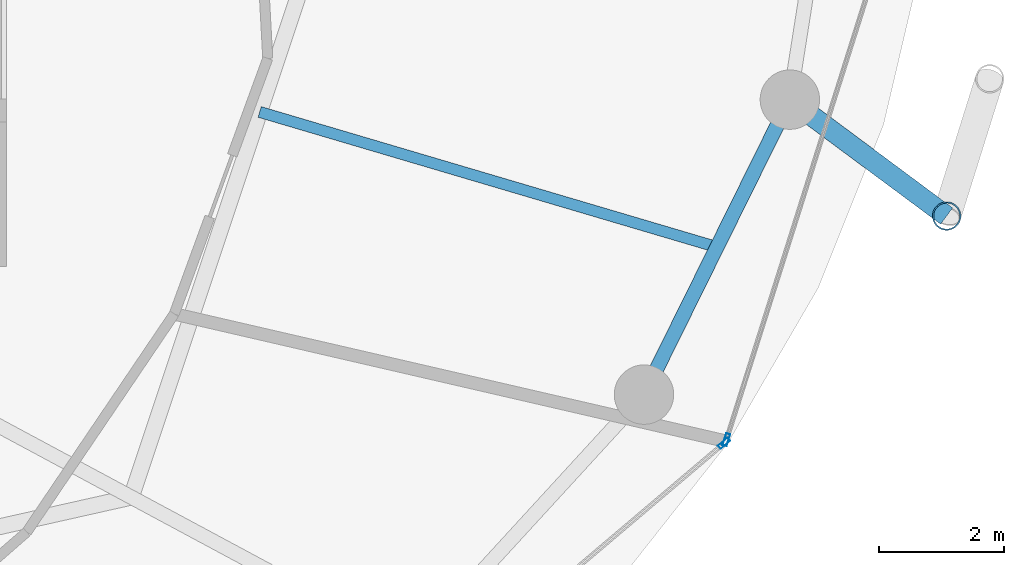
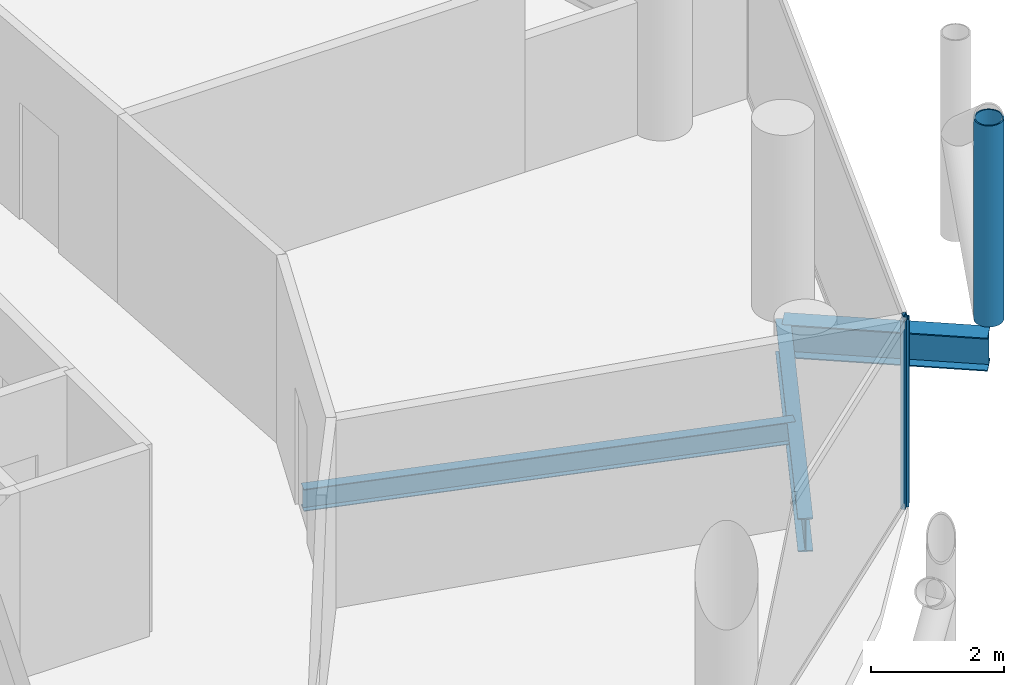
# One storey, part 10 of 27: 3 beams, 3 members, 2 elements without a shape of their own.
"""IFC4 building model written with IfcOpenShell, lengths in metres."""

from ifc_helpers import new_model, si_unit, direction, frame, origin, origin_2d, place, context, subcontext, project, spatial, hollow_rectangle, hollow_circle, i_section, extrude, material, layer, layer_set, material_profile, profile_set, type_object, element, aggregate, save


model = new_model("IFC4")

# Units and contexts
model_context = context("Model", 3, precision=1e-05, world=origin(), true_north=direction((0.0, 1.0)))
body_context = subcontext(model_context, "Body", "Model", "MODEL_VIEW")
ifc_project = project(units=[si_unit("LENGTHUNIT", "METRE"), si_unit("AREAUNIT", "SQUARE_METRE"), si_unit("VOLUMEUNIT", "CUBIC_METRE"), si_unit("PLANEANGLEUNIT", "RADIAN"), si_unit("MASSUNIT", "GRAM", prefix="KILO")], contexts=[model_context])

# Site, building, storey
site_placement = place(None, origin())
site = spatial("IfcSite", under=ifc_project, at=site_placement, CompositionType="ELEMENT")
building_placement = place(site_placement, origin())
building = spatial("IfcBuilding", under=site, at=building_placement, Name="Nuhasar Tower", CompositionType="ELEMENT")
storey_placement = place(building_placement, frame((0.0, 0.0, 158.949951171875)))
storey = spatial("IfcBuildingStorey", under=building, at=storey_placement, Name="L38", CompositionType="ELEMENT", Elevation=158.949951171875)

# Beams
ifc_material_1 = material(Name="Steel S355", Category="steel")
ifc_material_profile_1 = material_profile(ifc_material_1, i_section(OverallWidth=0.177978515625, OverallDepth=0.406005859375, WebThickness=0.0078125, FlangeThickness=0.0126953125, at=origin_2d()), Name="W16X40")
ifc_profile_set_1 = profile_set([ifc_material_profile_1], Name="Steel S355")
beam_type_1 = type_object("IfcBeamType", Name="BM-JST-W16X40", PredefinedType="JOIST", material=ifc_profile_set_1)
beam_1_placement = place(storey_placement, frame((53.0791015625, 21.54296875, -0.452880859375), z_axis=(0.959000494697, -0.283404395116, 0.0), x_axis=(0.283404395116, 0.959000494697, 0.0)))
element("IfcBeam", 1, at=beam_1_placement, inside=storey, type_object=beam_type_1, Name="L38 Secondary Floor Joist 03", PredefinedType="JOIST", context=body_context, shape_type="SweptSolid", body=[
    extrude(i_section(OverallWidth=0.177978515625, OverallDepth=0.406005859375, WebThickness=0.0078125, FlangeThickness=0.0126953125, at=origin_2d()), origin(), (0.0, 0.0, 1.0), 7.621337890625),
])
ifc_material_profile_2 = material_profile(ifc_material_1, i_section(OverallWidth=0.22998046875, OverallDepth=0.616943359375, WebThickness=0.01318359375, FlangeThickness=0.022216796875, at=origin_2d()), Name="W24X94")
ifc_profile_set_2 = profile_set([ifc_material_profile_2], Name="Steel S355")
beam_type_2 = type_object("IfcBeamType", Name="BM-RING-W24X94", PredefinedType="SPANDREL", material=ifc_profile_set_2)
beam_2_placement = place(storey_placement, frame((59.221923828125, 17.02490234375, -0.558837890625), z_axis=(0.443329327657, 0.896358804966, 0.0), x_axis=(-0.896358804966, 0.443329327657, 0.0)))
element("IfcBeam", 2, at=beam_2_placement, inside=storey, type_object=beam_type_2, Name="L38 Perimeter Ring Spandrel 23", PredefinedType="SPANDREL", context=body_context, shape_type="SweptSolid", body=[
    extrude(i_section(OverallWidth=0.22998046875, OverallDepth=0.616943359375, WebThickness=0.01318359375, FlangeThickness=0.022216796875, at=origin_2d()), origin(), (0.0, 0.0, 1.0), 5.26025390625),
])
ifc_material_profile_3 = material_profile(ifc_material_1, i_section(OverallWidth=0.323974609375, OverallDepth=0.611083984375, WebThickness=0.0126953125, FlangeThickness=0.01904296875, at=origin_2d()), Name="W24X104")
ifc_profile_set_3 = profile_set([ifc_material_profile_3], Name="Steel S355")
beam_type_3 = type_object("IfcBeamType", Name="BM-TIE-W24X104", PredefinedType="BEAM", material=ifc_profile_set_3)
beam_3_placement = place(storey_placement, frame((61.553955078125, 21.739990234375, -0.555908203125), z_axis=(0.80283476238, -0.596201597041, 0.0), x_axis=(0.596201597041, 0.80283476238, 0.0)))
element("IfcBeam", 3, at=beam_3_placement, inside=storey, type_object=beam_type_3, Name="L38 Exoskeleton Node Tie Beam 12", PredefinedType="BEAM", context=body_context, shape_type="SweptSolid", body=[
    extrude(i_section(OverallWidth=0.323974609375, OverallDepth=0.611083984375, WebThickness=0.0126953125, FlangeThickness=0.01904296875, at=origin_2d()), origin(), (0.0, 0.0, 1.0), 3.12158203125),
])

# Curtain wall, member
ifc_material_2 = material(Name="Aluminium 6063-T6", Category="aluminium")
ifc_layer = layer(ifc_material_2, 0.199951171875)
ifc_layer_set = layer_set([ifc_layer], Name="Aluminium 6063-T6")
curtain_wall_type = type_object("IfcCurtainWallType", Name="CW-Z2-HTL", PredefinedType="NOTDEFINED", material=ifc_layer_set)
curtain_wall_1_placement = place(storey_placement, origin())
curtain_wall_1 = element("IfcCurtainWall", 4, at=curtain_wall_1_placement, inside=storey, type_object=curtain_wall_type, Name="L38 Unitised Curtain Wall 11", PredefinedType="NOTDEFINED")
ifc_material_profile_4 = material_profile(ifc_material_2, hollow_rectangle(XDim=0.070068359375, YDim=0.199951171875, WallThickness=0.0048828125, at=origin_2d()), Name="CWM-3")
ifc_profile_set_4 = profile_set([ifc_material_profile_4], Name="Aluminium 6063-T6")
member_type_1 = type_object("IfcMemberType", Name="CW-MUL-S3", PredefinedType="MULLION", material=ifc_profile_set_4)
member_1_placement = place(storey_placement, frame((60.502197265625, 16.247314453125, 0.0), z_axis=(0.0, 0.0, 1.0), x_axis=(-0.646374438324, 0.763020370292, 0.0)))
member_1 = element("IfcMember", 5, at=member_1_placement, type_object=member_type_1, Name="CW-Z2 mullion 2", PredefinedType="MULLION", context=body_context, shape_type="SweptSolid", body=[
    extrude(hollow_rectangle(XDim=0.070068359375, YDim=0.199951171875, WallThickness=0.0048828125, at=origin_2d()), origin(), (0.0, 0.0, 1.0), 3.449951171875),
])
aggregate(curtain_wall_1, [member_1])

curtain_wall_2_placement = place(storey_placement, origin())
curtain_wall_2 = element("IfcCurtainWall", 6, at=curtain_wall_2_placement, inside=storey, type_object=curtain_wall_type, Name="L38 Unitised Curtain Wall 12", PredefinedType="NOTDEFINED")
member_2_placement = place(storey_placement, frame((60.53955078125, 16.303466796875, 0.0), z_axis=(0.0, 0.0, 1.0), x_axis=(-0.953433389233, 0.301603667577, 0.0)))
member_2 = element("IfcMember", 7, at=member_2_placement, type_object=member_type_1, Name="CW-Z2 mullion 1", PredefinedType="MULLION", context=body_context, shape_type="SweptSolid", body=[
    extrude(hollow_rectangle(XDim=0.070068359375, YDim=0.199951171875, WallThickness=0.0048828125, at=origin_2d()), origin(), (0.0, 0.0, 1.0), 3.449951171875),
])
aggregate(curtain_wall_2, [member_2])

# Member
ifc_material_3 = material(Name="Steel S460", Category="steel")
ifc_material_profile_5 = material_profile(ifc_material_3, hollow_circle(Radius=0.228515625, WallThickness=0.022216796875, at=origin_2d()), Name="HSS457X22.2")
ifc_profile_set_5 = profile_set([ifc_material_profile_5], Name="Steel S460")
member_type_2 = type_object("IfcMemberType", Name="EXO-BRONZE-457", PredefinedType="BRACE", material=ifc_profile_set_5)
member_3_placement = place(storey_placement, frame((64.06005859375, 19.87890625, 0.0), z_axis=(0.0, 0.0, 1.0), x_axis=(1.0, 0.0, 0.0)))
element("IfcMember", 8, at=member_3_placement, inside=storey, type_object=member_type_2, Name="L38 Exoskeleton Chord Column EC-12A", PredefinedType="BRACE", context=body_context, shape_type="SweptSolid", body=[
    extrude(hollow_circle(Radius=0.228515625, WallThickness=0.022216796875, at=origin_2d()), origin(), (0.0, 0.0, 1.0), 3.699951171875),
])

save(model, "model.ifc")
